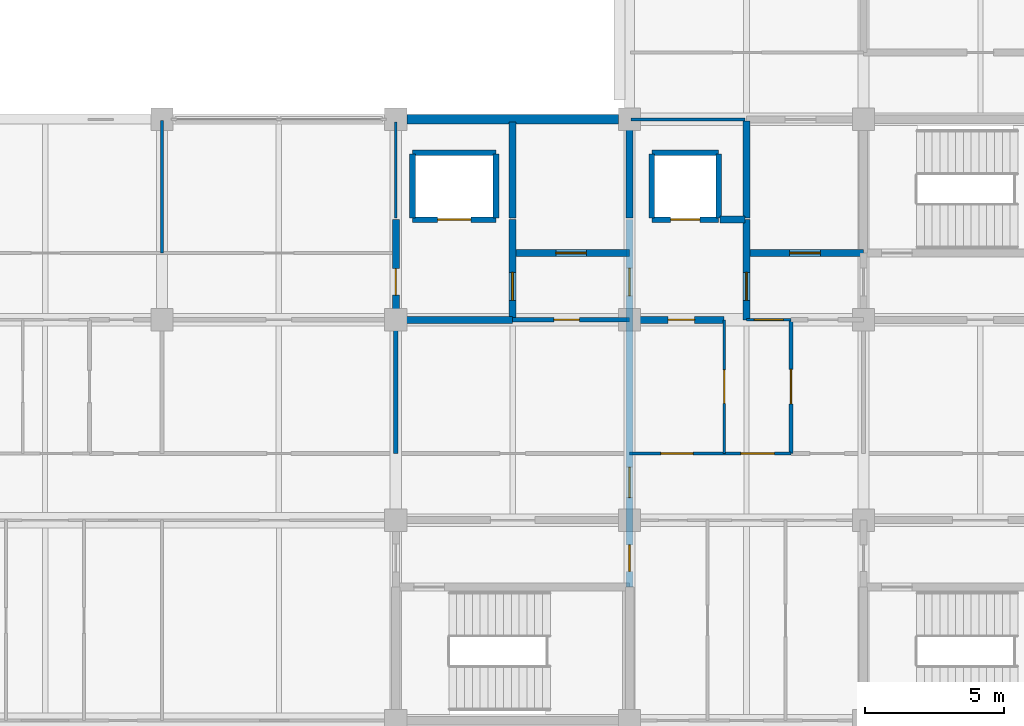
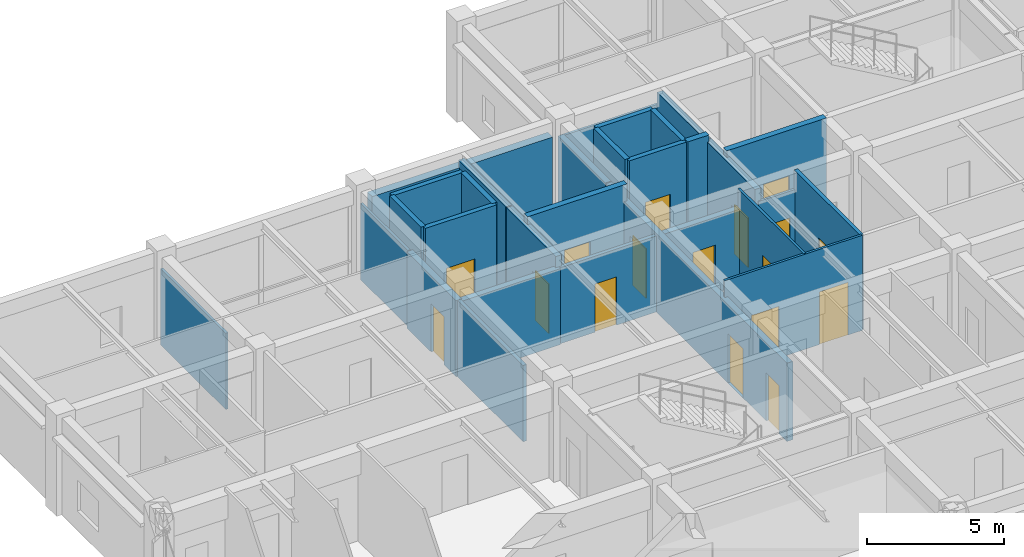
# One storey, part 17 of 30: 30 walls, 17 doors, 17 openings.
"""IFC4 building model written with IfcOpenShell, lengths in metres."""

from ifc_helpers import new_model, si_unit, direction, frame, frame_2d, origin, place, context, subcontext, project, spatial, rectangle, extrude, material, layer, layer_set, type_object, element, fill, save


model = new_model("IFC4")

# Units and contexts
model_context = context("Model", 3, precision=1e-05, world=origin(), true_north=direction((0.0, 1.0)))
body_context = subcontext(model_context, "Body", "Model", "MODEL_VIEW")
ifc_project = project(units=[si_unit("LENGTHUNIT", "METRE"), si_unit("AREAUNIT", "SQUARE_METRE"), si_unit("VOLUMEUNIT", "CUBIC_METRE"), si_unit("PLANEANGLEUNIT", "RADIAN"), si_unit("MASSUNIT", "GRAM", prefix="KILO")], contexts=[model_context])

# Site, building, storey
site_placement = place(None, origin())
site = spatial("IfcSite", under=ifc_project, at=site_placement, CompositionType="ELEMENT")
building_placement = place(site_placement, origin())
building = spatial("IfcBuilding", under=site, at=building_placement, Name="Chengyuan Square Courthouse", CompositionType="ELEMENT")
storey_placement = place(building_placement, frame((0.0, 0.0, 30.60009765625)))
storey = spatial("IfcBuildingStorey", under=building, at=storey_placement, Name="L07", CompositionType="ELEMENT", Elevation=30.60009765625)

# Walls
ifc_material_1 = material(Name="Concrete C40", Category="concrete")
ifc_layer_1 = layer(ifc_material_1, 0.35009765625)
ifc_layer_set_1 = layer_set([ifc_layer_1], Name="Concrete C40")
wall_type_1 = type_object("IfcWallType", Name="WL-EW2", PredefinedType="STANDARD", material=ifc_layer_set_1)
wall_1_placement = place(storey_placement, frame((42.39501953125, 108.0, 0.0), z_axis=(0.0, 0.0, 1.0), x_axis=(1.0, 0.0, 0.0)))
element("IfcWall", 1, at=wall_1_placement, inside=storey, type_object=wall_type_1, Name="Exterior Wall WL-L07-E381", PredefinedType="STANDARD", context=body_context, shape_type="SweptSolid", body=[
    extrude(rectangle(XDim=7.60986328125, YDim=0.35009765625, at=frame_2d((3.804931640625, 0.0))), origin(), (0.0, 0.0, 1.0), 3.58984375),
])
ifc_layer_2 = layer(ifc_material_1, 0.25)
ifc_layer_set_2 = layer_set([ifc_layer_2], Name="Concrete C40")
wall_type_2 = type_object("IfcWallType", Name="WL-FW1", PredefinedType="STANDARD", material=ifc_layer_set_2)
wall_2_placement = place(storey_placement, frame((42.0, 100.800048828125, 0.0), z_axis=(0.0, 0.0, 1.0), x_axis=(1.0, 0.0, 0.0)))
element("IfcWall", 2, at=wall_2_placement, inside=storey, type_object=wall_type_2, Name="Interior Wall WL-L07-I2669", PredefinedType="STANDARD", context=body_context, shape_type="SweptSolid", body=[
    extrude(rectangle(XDim=4.199951171875, YDim=0.25, at=frame_2d((2.10009765625, 0.0))), origin(), (0.0, 0.0, 1.0), 3.389892578125),
])

# Wall, opening, door
wall_3_placement = place(storey_placement, frame((50.39990234375, 100.800048828125, 0.0), z_axis=(0.0, 0.0, 1.0), x_axis=(1.0, 0.0, 0.0)))
wall_3 = element("IfcWall", 3, at=wall_3_placement, inside=storey, type_object=wall_type_2, Name="Interior Wall WL-L07-I2671", PredefinedType="STANDARD", context=body_context, shape_type="SweptSolid", body=[
    extrude(rectangle(XDim=3.400146484375, YDim=0.25, at=frame_2d((1.7001953125, 0.0))), origin(), (0.0, 0.0, 1.0), 3.389892578125),
])
opening_1_placement = place(wall_3_placement, frame((1.385009765625, 0.0, 0.0)))
opening_1 = element("IfcOpeningElement", 4, at=opening_1_placement, cuts=wall_3, Name="Opening DR-2359", PredefinedType="OPENING", context=body_context, shape_type="SweptSolid", body=[
    extrude(rectangle(XDim=0.949951171875, YDim=2.14990234375, at=frame_2d((0.47509765625, 1.074951171875))), frame((0.0, 0.136962890625, 0.0), z_axis=(0.0, -1.0, 0.0), x_axis=(1.0, 0.0, 0.0)), (0.0, 0.0, 1.0), 0.27392578125),
])
ifc_material_2 = material(Name="Steel Q235B Fire Door", Category="steel")
door_type_1 = type_object("IfcDoorType", Name="DT-12", OperationType="NOTDEFINED", PredefinedType="DOOR", material=ifc_material_2)
door_1_placement = place(opening_1_placement, origin())
door_1 = element("IfcDoor", 5, at=door_1_placement, inside=storey, type_object=door_type_1, Name="Interior Door DR-2359", OperationType="SINGLE_SWING_LEFT", OverallHeight=2.14990234375, OverallWidth=0.949951171875, PredefinedType="DOOR", context=body_context, shape_type="SweptSolid", body=[
    extrude(rectangle(XDim=0.949951171875, YDim=2.14990234375, at=frame_2d((0.47509765625, 1.074951171875))), frame((0.0, 0.02490234375, 0.0), z_axis=(0.0, -1.0, 0.0), x_axis=(1.0, 0.0, 0.0)), (0.0, 0.0, 1.0), 0.050048828125),
])
fill(opening_1, door_1)

wall_4_placement = place(storey_placement, frame((46.199951171875, 103.199951171875, 0.0), z_axis=(0.0, 0.0, 1.0), x_axis=(1.0, 0.0, 0.0)))
wall_4 = element("IfcWall", 6, at=wall_4_placement, inside=storey, type_object=wall_type_2, Name="Interior Wall WL-L07-I2687", PredefinedType="STANDARD", context=body_context, shape_type="SweptSolid", body=[
    extrude(rectangle(XDim=4.199951171875, YDim=0.25, at=frame_2d((2.10009765625, 0.0))), origin(), (0.0, 0.0, 1.0), 4.239990234375),
])
opening_2_placement = place(wall_4_placement, frame((1.550048828125, 0.0, 0.0)))
opening_2 = element("IfcOpeningElement", 7, at=opening_2_placement, cuts=wall_4, Name="Opening DR-2339", PredefinedType="OPENING", context=body_context, shape_type="SweptSolid", body=[
    extrude(rectangle(XDim=1.10009765625, YDim=2.199951171875, at=frame_2d((0.550048828125, 1.10009765625))), frame((0.0, 0.136962890625, 0.0), z_axis=(0.0, -1.0, 0.0), x_axis=(1.0, 0.0, 0.0)), (0.0, 0.0, 1.0), 0.27392578125),
])
door_type_2 = type_object("IfcDoorType", Name="DT-10", OperationType="NOTDEFINED", PredefinedType="DOOR", material=ifc_material_2)
door_2_placement = place(opening_2_placement, origin())
door_2 = element("IfcDoor", 8, at=door_2_placement, inside=storey, type_object=door_type_2, Name="Interior Door DR-2339", OperationType="SINGLE_SWING_RIGHT", OverallHeight=2.199951171875, OverallWidth=1.10009765625, PredefinedType="DOOR", context=body_context, shape_type="SweptSolid", body=[
    extrude(rectangle(XDim=1.10009765625, YDim=2.199951171875, at=frame_2d((0.550048828125, 1.10009765625))), frame((0.0, 0.02490234375, 0.0), z_axis=(0.0, -1.0, 0.0), x_axis=(1.0, 0.0, 0.0)), (0.0, 0.0, 1.0), 0.050048828125),
])
fill(opening_2, door_2)

wall_5_placement = place(storey_placement, frame((54.60009765625, 103.199951171875, 0.0), z_axis=(0.0, 0.0, 1.0), x_axis=(1.0, 0.0, 0.0)))
wall_5 = element("IfcWall", 9, at=wall_5_placement, inside=storey, type_object=wall_type_2, Name="Interior Wall WL-L07-I2688", PredefinedType="STANDARD", context=body_context, shape_type="SweptSolid", body=[
    extrude(rectangle(XDim=4.199951171875, YDim=0.25, at=frame_2d((2.10009765625, 0.0))), origin(), (0.0, 0.0, 1.0), 4.239990234375),
])
opening_3_placement = place(wall_5_placement, frame((1.550048828125, 0.0, 0.0)))
opening_3 = element("IfcOpeningElement", 10, at=opening_3_placement, cuts=wall_5, Name="Opening DR-2360", PredefinedType="OPENING", context=body_context, shape_type="SweptSolid", body=[
    extrude(rectangle(XDim=1.10009765625, YDim=2.199951171875, at=frame_2d((0.550048828125, 1.10009765625))), frame((0.0, 0.136962890625, 0.0), z_axis=(0.0, -1.0, 0.0), x_axis=(1.0, 0.0, 0.0)), (0.0, 0.0, 1.0), 0.27392578125),
])
door_3_placement = place(opening_3_placement, origin())
door_3 = element("IfcDoor", 11, at=door_3_placement, inside=storey, type_object=door_type_2, Name="Interior Door DR-2360", OperationType="SINGLE_SWING_RIGHT", OverallHeight=2.199951171875, OverallWidth=1.10009765625, PredefinedType="DOOR", context=body_context, shape_type="SweptSolid", body=[
    extrude(rectangle(XDim=1.10009765625, YDim=2.199951171875, at=frame_2d((0.550048828125, 1.10009765625))), frame((0.0, 0.02490234375, 0.0), z_axis=(0.0, -1.0, 0.0), x_axis=(1.0, 0.0, 0.0)), (0.0, 0.0, 1.0), 0.050048828125),
])
fill(opening_3, door_3)

# Wall
wall_6_placement = place(storey_placement, frame((53.64990234375, 104.39990234375, 0.0), z_axis=(0.0, 0.0, 1.0), x_axis=(1.0, 0.0, 0.0)))
element("IfcWall", 12, at=wall_6_placement, inside=storey, type_object=wall_type_2, Name="Interior Wall WL-L07-I2698", PredefinedType="STANDARD", context=body_context, shape_type="SweptSolid", body=[
    extrude(rectangle(XDim=0.900146484375, YDim=0.25, at=frame_2d((0.4501953125, 0.0))), origin(), (0.0, 0.0, 1.0), 4.239990234375),
])

# Wall, opening, door
wall_7_placement = place(storey_placement, frame((42.0, 100.800048828125, 0.0), z_axis=(0.0, 0.0, 1.0), x_axis=(0.0, 1.0, 0.0)))
wall_7 = element("IfcWall", 13, at=wall_7_placement, inside=storey, type_object=wall_type_2, Name="Interior Wall WL-L07-I2748", PredefinedType="STANDARD", context=body_context, shape_type="SweptSolid", body=[
    extrude(rectangle(XDim=3.599853515625, YDim=0.25, at=frame_2d((1.7998046875, 0.0))), origin(), (0.0, 0.0, 1.0), 3.39990234375),
])
opening_4_placement = place(wall_7_placement, frame((0.885009765625, 0.0, 0.0)))
opening_4 = element("IfcOpeningElement", 14, at=opening_4_placement, cuts=wall_7, Name="Opening DR-2338", PredefinedType="OPENING", context=body_context, shape_type="SweptSolid", body=[
    extrude(rectangle(XDim=0.949951171875, YDim=2.14990234375, at=frame_2d((0.47509765625, 1.074951171875))), frame((0.0, 0.136962890625, 0.0), z_axis=(0.0, -1.0, 0.0), x_axis=(1.0, 0.0, 0.0)), (0.0, 0.0, 1.0), 0.27392578125),
])
door_4_placement = place(opening_4_placement, origin())
door_4 = element("IfcDoor", 15, at=door_4_placement, inside=storey, type_object=door_type_1, Name="Interior Door DR-2338", OperationType="SINGLE_SWING_LEFT", OverallHeight=2.14990234375, OverallWidth=0.949951171875, PredefinedType="DOOR", context=body_context, shape_type="SweptSolid", body=[
    extrude(rectangle(XDim=0.949951171875, YDim=2.14990234375, at=frame_2d((0.47509765625, 1.074951171875))), frame((0.0, 0.02490234375, 0.0), z_axis=(0.0, -1.0, 0.0), x_axis=(1.0, 0.0, 0.0)), (0.0, 0.0, 1.0), 0.050048828125),
])
fill(opening_4, door_4)

wall_8_placement = place(storey_placement, frame((46.199951171875, 100.800048828125, 0.0), z_axis=(0.0, 0.0, 1.0), x_axis=(0.0, 1.0, 0.0)))
wall_8 = element("IfcWall", 16, at=wall_8_placement, inside=storey, type_object=wall_type_2, Name="Interior Wall WL-L07-I2752", PredefinedType="STANDARD", context=body_context, shape_type="SweptSolid", body=[
    extrude(rectangle(XDim=3.599853515625, YDim=0.25, at=frame_2d((1.7998046875, 0.0))), origin(), (0.0, 0.0, 1.0), 3.889892578125),
])
opening_5_placement = place(wall_8_placement, frame((0.699951171875, 0.0, 0.0)))
opening_5 = element("IfcOpeningElement", 17, at=opening_5_placement, cuts=wall_8, Name="Opening DR-2337", PredefinedType="OPENING", context=body_context, shape_type="SweptSolid", body=[
    extrude(rectangle(XDim=1.0, YDim=2.199951171875, at=frame_2d((0.5, 1.10009765625))), frame((0.0, 0.136962890625, 0.0), z_axis=(0.0, -1.0, 0.0), x_axis=(1.0, 0.0, 0.0)), (0.0, 0.0, 1.0), 0.27392578125),
])
door_type_3 = type_object("IfcDoorType", Name="DT-11", OperationType="NOTDEFINED", PredefinedType="DOOR", material=ifc_material_2)
door_5_placement = place(opening_5_placement, origin())
door_5 = element("IfcDoor", 18, at=door_5_placement, inside=storey, type_object=door_type_3, Name="Interior Door DR-2337", OperationType="SINGLE_SWING_RIGHT", OverallHeight=2.199951171875, OverallWidth=1.0, PredefinedType="DOOR", context=body_context, shape_type="SweptSolid", body=[
    extrude(rectangle(XDim=1.0, YDim=2.199951171875, at=frame_2d((0.5, 1.10009765625))), frame((0.0, 0.02490234375, 0.0), z_axis=(0.0, -1.0, 0.0), x_axis=(1.0, 0.0, 0.0)), (0.0, 0.0, 1.0), 0.050048828125),
])
fill(opening_5, door_5)

# Wall
wall_9_placement = place(storey_placement, frame((46.199951171875, 104.449951171875, 0.0), z_axis=(0.0, 0.0, 1.0), x_axis=(0.0, 1.0, 0.0)))
element("IfcWall", 19, at=wall_9_placement, inside=storey, type_object=wall_type_2, Name="Interior Wall WL-L07-I2753", PredefinedType="STANDARD", context=body_context, shape_type="SweptSolid", body=[
    extrude(rectangle(XDim=3.4599609375, YDim=0.25, at=frame_2d((1.72998046875, 0.0))), origin(), (0.0, 0.0, 1.0), 3.889892578125),
])

# Wall, openings, doors
wall_10_placement = place(storey_placement, frame((50.39990234375, 91.199951171875, 0.0), z_axis=(0.0, 0.0, 1.0), x_axis=(0.0, 1.0, 0.0)))
wall_10 = element("IfcWall", 20, at=wall_10_placement, inside=storey, type_object=wall_type_2, Name="Interior Wall WL-L07-I2756", PredefinedType="STANDARD", context=body_context, shape_type="SweptSolid", body=[
    extrude(rectangle(XDim=13.199951171875, YDim=0.25, at=frame_2d((6.60009765625, 0.0))), origin(), (0.0, 0.0, 1.0), 3.489990234375),
])
opening_6_placement = place(wall_10_placement, frame((0.56494140625, 0.0, 0.0)))
opening_6 = element("IfcOpeningElement", 21, at=opening_6_placement, cuts=wall_10, Name="Opening DR-2323", PredefinedType="OPENING", context=body_context, shape_type="SweptSolid", body=[
    extrude(rectangle(XDim=0.949951171875, YDim=2.14990234375, at=frame_2d((0.47509765625, 1.074951171875))), frame((0.0, 0.136962890625, 0.0), z_axis=(0.0, -1.0, 0.0), x_axis=(1.0, 0.0, 0.0)), (0.0, 0.0, 1.0), 0.27392578125),
])
opening_7_placement = place(wall_10_placement, frame((10.4599609375, 0.0, 0.0)))
opening_7 = element("IfcOpeningElement", 22, at=opening_7_placement, cuts=wall_10, Name="Opening DR-2340", PredefinedType="OPENING", context=body_context, shape_type="SweptSolid", body=[
    extrude(rectangle(XDim=1.0, YDim=2.199951171875, at=frame_2d((0.5, 1.10009765625))), frame((0.0, 0.136962890625, 0.0), z_axis=(0.0, -1.0, 0.0), x_axis=(1.0, 0.0, 0.0)), (0.0, 0.0, 1.0), 0.27392578125),
])
opening_8_placement = place(wall_10_placement, frame((3.2099609375, 0.0, 0.0)))
opening_8 = element("IfcOpeningElement", 23, at=opening_8_placement, cuts=wall_10, Name="Opening DR-2387", PredefinedType="OPENING", context=body_context, shape_type="SweptSolid", body=[
    extrude(rectangle(XDim=1.10009765625, YDim=2.199951171875, at=frame_2d((0.550048828125, 1.10009765625))), frame((0.0, 0.136962890625, 0.0), z_axis=(0.0, -1.0, 0.0), x_axis=(1.0, 0.0, 0.0)), (0.0, 0.0, 1.0), 0.27392578125),
])
door_6_placement = place(opening_8_placement, origin())
door_6 = element("IfcDoor", 24, at=door_6_placement, inside=storey, type_object=door_type_2, Name="Interior Door DR-2387", OperationType="SINGLE_SWING_RIGHT", OverallHeight=2.199951171875, OverallWidth=1.10009765625, PredefinedType="DOOR", context=body_context, shape_type="SweptSolid", body=[
    extrude(rectangle(XDim=1.10009765625, YDim=2.199951171875, at=frame_2d((0.550048828125, 1.10009765625))), frame((0.0, 0.02490234375, 0.0), z_axis=(0.0, -1.0, 0.0), x_axis=(1.0, 0.0, 0.0)), (0.0, 0.0, 1.0), 0.050048828125),
])
fill(opening_8, door_6)
door_7_placement = place(opening_7_placement, origin())
door_7 = element("IfcDoor", 25, at=door_7_placement, inside=storey, type_object=door_type_3, Name="Interior Door DR-2340", OperationType="SINGLE_SWING_LEFT", OverallHeight=2.199951171875, OverallWidth=1.0, PredefinedType="DOOR", context=body_context, shape_type="SweptSolid", body=[
    extrude(rectangle(XDim=1.0, YDim=2.199951171875, at=frame_2d((0.5, 1.10009765625))), frame((0.0, 0.02490234375, 0.0), z_axis=(0.0, -1.0, 0.0), x_axis=(1.0, 0.0, 0.0)), (0.0, 0.0, 1.0), 0.050048828125),
])
fill(opening_7, door_7)
door_8_placement = place(opening_6_placement, origin())
door_8 = element("IfcDoor", 26, at=door_8_placement, inside=storey, type_object=door_type_1, Name="Interior Door DR-2323", OperationType="SINGLE_SWING_LEFT", OverallHeight=2.14990234375, OverallWidth=0.949951171875, PredefinedType="DOOR", context=body_context, shape_type="SweptSolid", body=[
    extrude(rectangle(XDim=0.949951171875, YDim=2.14990234375, at=frame_2d((0.47509765625, 1.074951171875))), frame((0.0, 0.02490234375, 0.0), z_axis=(0.0, -1.0, 0.0), x_axis=(1.0, 0.0, 0.0)), (0.0, 0.0, 1.0), 0.050048828125),
])
fill(opening_6, door_8)

# Wall
wall_11_placement = place(storey_placement, frame((50.39990234375, 104.449951171875, 0.0), z_axis=(0.0, 0.0, 1.0), x_axis=(0.0, 1.0, 0.0)))
element("IfcWall", 27, at=wall_11_placement, inside=storey, type_object=wall_type_2, Name="Interior Wall WL-L07-I2757", PredefinedType="STANDARD", context=body_context, shape_type="SweptSolid", body=[
    extrude(rectangle(XDim=3.4599609375, YDim=0.25, at=frame_2d((1.72998046875, 0.0))), origin(), (0.0, 0.0, 1.0), 3.489990234375),
])

# Wall, opening, door
wall_12_placement = place(storey_placement, frame((54.60009765625, 100.800048828125, 0.0), z_axis=(0.0, 0.0, 1.0), x_axis=(0.0, 1.0, 0.0)))
wall_12 = element("IfcWall", 28, at=wall_12_placement, inside=storey, type_object=wall_type_2, Name="Interior Wall WL-L07-I2762", PredefinedType="STANDARD", context=body_context, shape_type="SweptSolid", body=[
    extrude(rectangle(XDim=3.599853515625, YDim=0.25, at=frame_2d((1.7998046875, 0.0))), origin(), (0.0, 0.0, 1.0), 3.93994140625),
])
opening_9_placement = place(wall_12_placement, frame((0.699951171875, 0.0, 0.0)))
opening_9 = element("IfcOpeningElement", 29, at=opening_9_placement, cuts=wall_12, Name="Opening DR-2358", PredefinedType="OPENING", context=body_context, shape_type="SweptSolid", body=[
    extrude(rectangle(XDim=1.0, YDim=2.199951171875, at=frame_2d((0.5, 1.10009765625))), frame((0.0, 0.136962890625, 0.0), z_axis=(0.0, -1.0, 0.0), x_axis=(1.0, 0.0, 0.0)), (0.0, 0.0, 1.0), 0.27392578125),
])
door_9_placement = place(opening_9_placement, origin())
door_9 = element("IfcDoor", 30, at=door_9_placement, inside=storey, type_object=door_type_3, Name="Interior Door DR-2358", OperationType="SINGLE_SWING_RIGHT", OverallHeight=2.199951171875, OverallWidth=1.0, PredefinedType="DOOR", context=body_context, shape_type="SweptSolid", body=[
    extrude(rectangle(XDim=1.0, YDim=2.199951171875, at=frame_2d((0.5, 1.10009765625))), frame((0.0, 0.02490234375, 0.0), z_axis=(0.0, -1.0, 0.0), x_axis=(1.0, 0.0, 0.0)), (0.0, 0.0, 1.0), 0.050048828125),
])
fill(opening_9, door_9)

# Wall
wall_13_placement = place(storey_placement, frame((54.60009765625, 104.449951171875, 0.0), z_axis=(0.0, 0.0, 1.0), x_axis=(0.0, 1.0, 0.0)))
element("IfcWall", 31, at=wall_13_placement, inside=storey, type_object=wall_type_2, Name="Interior Wall WL-L07-I2763", PredefinedType="STANDARD", context=body_context, shape_type="SweptSolid", body=[
    extrude(rectangle(XDim=3.5, YDim=0.25, at=frame_2d((1.75, 0.0))), origin(), (0.0, 0.0, 1.0), 3.93994140625),
])

# Wall, opening, door
ifc_material_3 = material(Name="Deliberation Room Sound-Insulated Partition")
ifc_layer_3 = layer(ifc_material_3, 0.14990234375)
ifc_layer_set_3 = layer_set([ifc_layer_3], Name="Deliberation Room Sound-Insulated Partition")
wall_type_3 = type_object("IfcWallType", Name="WL-PT3", PredefinedType="STANDARD", material=ifc_layer_set_3)
wall_14_placement = place(storey_placement, frame((46.199951171875, 100.800048828125, 0.0), z_axis=(0.0, 0.0, 1.0), x_axis=(1.0, 0.0, 0.0)))
wall_14 = element("IfcWall", 32, at=wall_14_placement, inside=storey, type_object=wall_type_3, Name="Interior Wall WL-L07-I2670", PredefinedType="STANDARD", context=body_context, shape_type="SweptSolid", body=[
    extrude(rectangle(XDim=4.199951171875, YDim=0.14990234375, at=frame_2d((2.10009765625, 0.0))), origin(), (0.0, 0.0, 1.0), 3.389892578125),
])
opening_10_placement = place(wall_14_placement, frame((1.47998046875, 0.0, 0.0)))
opening_10 = element("IfcOpeningElement", 33, at=opening_10_placement, cuts=wall_14, Name="Opening DR-2341", PredefinedType="OPENING", context=body_context, shape_type="SweptSolid", body=[
    extrude(rectangle(XDim=0.919921875, YDim=2.14990234375, at=frame_2d((0.4599609375, 1.074951171875))), frame((0.0, 0.0869140625, 0.0), z_axis=(0.0, -1.0, 0.0), x_axis=(1.0, 0.0, 0.0)), (0.0, 0.0, 1.0), 0.173828125),
])
ifc_material_4 = material(Name="Acoustic Solid-Core Timber Door", Category="wood")
door_type_4 = type_object("IfcDoorType", Name="DT-29", OperationType="NOTDEFINED", PredefinedType="DOOR", material=ifc_material_4)
door_10_placement = place(opening_10_placement, origin())
door_10 = element("IfcDoor", 34, at=door_10_placement, inside=storey, type_object=door_type_4, Name="Interior Door DR-2341", OperationType="SINGLE_SWING_RIGHT", OverallHeight=2.14990234375, OverallWidth=0.919921875, PredefinedType="DOOR", context=body_context, shape_type="SweptSolid", body=[
    extrude(rectangle(XDim=0.919921875, YDim=2.14990234375, at=frame_2d((0.4599609375, 1.074951171875))), frame((0.0, 0.02490234375, 0.0), z_axis=(0.0, -1.0, 0.0), x_axis=(1.0, 0.0, 0.0)), (0.0, 0.0, 1.0), 0.050048828125),
])
fill(opening_10, door_10)

# Wall
wall_15_placement = place(storey_placement, frame((42.0, 96.0, 0.0), z_axis=(0.0, 0.0, 1.0), x_axis=(0.0, 1.0, 0.0)))
element("IfcWall", 35, at=wall_15_placement, inside=storey, type_object=wall_type_3, Name="Interior Wall WL-L07-I2747", PredefinedType="STANDARD", context=body_context, shape_type="SweptSolid", body=[
    extrude(rectangle(XDim=4.800048828125, YDim=0.14990234375, at=frame_2d((2.39990234375, 0.0))), origin(), (0.0, 0.0, 1.0), 3.39990234375),
])

# Wall, opening, door
wall_16_placement = place(storey_placement, frame((56.199951171875, 96.0, 0.0), z_axis=(0.0, 0.0, 1.0), x_axis=(0.0, 1.0, 0.0)))
wall_16 = element("IfcWall", 36, at=wall_16_placement, inside=storey, type_object=wall_type_3, Name="Interior Wall WL-L07-I2765", PredefinedType="STANDARD", context=body_context, shape_type="SweptSolid", body=[
    extrude(rectangle(XDim=4.800048828125, YDim=0.14990234375, at=frame_2d((2.39990234375, 0.0))), origin(), (0.0, 0.0, 1.0), 4.239990234375),
])
opening_11_placement = place(wall_16_placement, frame((1.780029296875, 0.0, 0.0)))
opening_11 = element("IfcOpeningElement", 37, at=opening_11_placement, cuts=wall_16, Name="Opening DR-2434", PredefinedType="OPENING", context=body_context, shape_type="SweptSolid", body=[
    extrude(rectangle(XDim=1.239990234375, YDim=2.300048828125, at=frame_2d((0.6201171875, 1.14990234375))), frame((0.0, 0.0869140625, 0.0), z_axis=(0.0, -1.0, 0.0), x_axis=(1.0, 0.0, 0.0)), (0.0, 0.0, 1.0), 0.173828125),
])
door_type_5 = type_object("IfcDoorType", Name="DT-37", OperationType="NOTDEFINED", PredefinedType="DOOR", material=ifc_material_4)
door_11_placement = place(opening_11_placement, origin())
door_11 = element("IfcDoor", 38, at=door_11_placement, inside=storey, type_object=door_type_5, Name="Interior Door DR-2434", OperationType="SINGLE_SWING_LEFT", OverallHeight=2.300048828125, OverallWidth=1.239990234375, PredefinedType="DOOR", context=body_context, shape_type="SweptSolid", body=[
    extrude(rectangle(XDim=1.239990234375, YDim=2.300048828125, at=frame_2d((0.6201171875, 1.14990234375))), frame((0.0, 0.02490234375, 0.0), z_axis=(0.0, -1.0, 0.0), x_axis=(1.0, 0.0, 0.0)), (0.0, 0.0, 1.0), 0.050048828125),
])
fill(opening_11, door_11)

# Wall, openings, doors
ifc_material_5 = material(Name="Gypsum Plasterboard Acoustic Stud Partition")
ifc_layer_4 = layer(ifc_material_5, 0.10009765625)
ifc_layer_set_4 = layer_set([ifc_layer_4], Name="Gypsum Plasterboard Acoustic Stud Partition")
wall_type_4 = type_object("IfcWallType", Name="WL-PT6", PredefinedType="STANDARD", material=ifc_layer_set_4)
wall_17_placement = place(storey_placement, frame((50.39990234375, 96.0, 0.0), z_axis=(0.0, 0.0, 1.0), x_axis=(1.0, 0.0, 0.0)))
wall_17 = element("IfcWall", 39, at=wall_17_placement, inside=storey, type_object=wall_type_4, Name="Interior Wall WL-L07-I2659", PredefinedType="STANDARD", context=body_context, shape_type="SweptSolid", body=[
    extrude(rectangle(XDim=5.800048828125, YDim=0.10009765625, at=frame_2d((2.89990234375, 0.0))), origin(), (0.0, 0.0, 1.0), 4.239990234375),
])
opening_12_placement = place(wall_17_placement, frame((1.1201171875, 0.0, 0.0)))
opening_12 = element("IfcOpeningElement", 40, at=opening_12_placement, cuts=wall_17, Name="Opening DR-2398", PredefinedType="OPENING", context=body_context, shape_type="SweptSolid", body=[
    extrude(rectangle(XDim=1.159912109375, YDim=2.300048828125, at=frame_2d((0.580078125, 1.14990234375))), frame((0.0, 0.06201171875, 0.0), z_axis=(0.0, -1.0, 0.0), x_axis=(1.0, 0.0, 0.0)), (0.0, 0.0, 1.0), 0.1240234375),
])
opening_13_placement = place(wall_17_placement, frame((4.0, 0.0, 0.0)))
opening_13 = element("IfcOpeningElement", 41, at=opening_13_placement, cuts=wall_17, Name="Opening DR-2399", PredefinedType="OPENING", context=body_context, shape_type="SweptSolid", body=[
    extrude(rectangle(XDim=1.199951171875, YDim=2.35009765625, at=frame_2d((0.60009765625, 1.175048828125))), frame((0.0, 0.06201171875, 0.0), z_axis=(0.0, -1.0, 0.0), x_axis=(1.0, 0.0, 0.0)), (0.0, 0.0, 1.0), 0.1240234375),
])
door_type_6 = type_object("IfcDoorType", Name="DT-35", OperationType="NOTDEFINED", PredefinedType="DOOR", material=ifc_material_4)
door_12_placement = place(opening_12_placement, origin())
door_12 = element("IfcDoor", 42, at=door_12_placement, inside=storey, type_object=door_type_6, Name="Interior Door DR-2398", OperationType="SINGLE_SWING_RIGHT", OverallHeight=2.300048828125, OverallWidth=1.159912109375, PredefinedType="DOOR", context=body_context, shape_type="SweptSolid", body=[
    extrude(rectangle(XDim=1.159912109375, YDim=2.300048828125, at=frame_2d((0.580078125, 1.14990234375))), frame((0.0, 0.02490234375, 0.0), z_axis=(0.0, -1.0, 0.0), x_axis=(1.0, 0.0, 0.0)), (0.0, 0.0, 1.0), 0.050048828125),
])
fill(opening_12, door_12)
door_type_7 = type_object("IfcDoorType", Name="DT-36", OperationType="NOTDEFINED", PredefinedType="DOOR", material=ifc_material_4)
door_13_placement = place(opening_13_placement, origin())
door_13 = element("IfcDoor", 43, at=door_13_placement, inside=storey, type_object=door_type_7, Name="Interior Door DR-2399", OperationType="SINGLE_SWING_LEFT", OverallHeight=2.35009765625, OverallWidth=1.199951171875, PredefinedType="DOOR", context=body_context, shape_type="SweptSolid", body=[
    extrude(rectangle(XDim=1.199951171875, YDim=2.35009765625, at=frame_2d((0.60009765625, 1.175048828125))), frame((0.0, 0.02490234375, 0.0), z_axis=(0.0, -1.0, 0.0), x_axis=(1.0, 0.0, 0.0)), (0.0, 0.0, 1.0), 0.050048828125),
])
fill(opening_13, door_13)

# Wall, opening, door
wall_18_placement = place(storey_placement, frame((54.60009765625, 100.800048828125, 0.0), z_axis=(0.0, 0.0, 1.0), x_axis=(1.0, 0.0, 0.0)))
wall_18 = element("IfcWall", 44, at=wall_18_placement, inside=storey, type_object=wall_type_4, Name="Interior Wall WL-L07-I2672", PredefinedType="STANDARD", context=body_context, shape_type="SweptSolid", body=[
    extrude(rectangle(XDim=1.599853515625, YDim=0.10009765625, at=frame_2d((0.7998046875, 0.0))), origin(), (0.0, 0.0, 1.0), 3.389892578125),
])
opening_14_placement = place(wall_18_placement, frame((0.280029296875, 0.0, 0.0)))
opening_14 = element("IfcOpeningElement", 45, at=opening_14_placement, cuts=wall_18, Name="Opening DR-2361", PredefinedType="OPENING", context=body_context, shape_type="SweptSolid", body=[
    extrude(rectangle(XDim=1.0400390625, YDim=2.199951171875, at=frame_2d((0.52001953125, 1.10009765625))), frame((0.0, 0.06201171875, 0.0), z_axis=(0.0, -1.0, 0.0), x_axis=(1.0, 0.0, 0.0)), (0.0, 0.0, 1.0), 0.1240234375),
])
door_type_8 = type_object("IfcDoorType", Name="DT-32", OperationType="NOTDEFINED", PredefinedType="DOOR", material=ifc_material_4)
door_14_placement = place(opening_14_placement, origin())
door_14 = element("IfcDoor", 46, at=door_14_placement, inside=storey, type_object=door_type_8, Name="Interior Door DR-2361", OperationType="SINGLE_SWING_LEFT", OverallHeight=2.199951171875, OverallWidth=1.0400390625, PredefinedType="DOOR", context=body_context, shape_type="SweptSolid", body=[
    extrude(rectangle(XDim=1.0400390625, YDim=2.199951171875, at=frame_2d((0.52001953125, 1.10009765625))), frame((0.0, 0.02490234375, 0.0), z_axis=(0.0, -1.0, 0.0), x_axis=(1.0, 0.0, 0.0)), (0.0, 0.0, 1.0), 0.050048828125),
])
fill(opening_14, door_14)

# Walls
wall_19_placement = place(storey_placement, frame((50.449951171875, 108.0, 0.0), z_axis=(0.0, 0.0, 1.0), x_axis=(1.0, 0.0, 0.0)))
element("IfcWall", 47, at=wall_19_placement, inside=storey, type_object=wall_type_4, Name="Interior Wall WL-L07-I2719", PredefinedType="STANDARD", context=body_context, shape_type="SweptSolid", body=[
    extrude(rectangle(XDim=4.10009765625, YDim=0.10009765625, at=frame_2d((2.050048828125, 0.0))), origin(), (0.0, 0.0, 1.0), 3.389892578125),
])
wall_20_placement = place(storey_placement, frame((33.60009765625, 103.199951171875, 0.0), z_axis=(0.0, 0.0, 1.0), x_axis=(0.0, 1.0, 0.0)))
element("IfcWall", 48, at=wall_20_placement, inside=storey, type_object=wall_type_4, Name="Interior Wall WL-L07-I2744", PredefinedType="STANDARD", context=body_context, shape_type="SweptSolid", body=[
    extrude(rectangle(XDim=4.760009765625, YDim=0.10009765625, at=frame_2d((2.3798828125, 0.0))), origin(), (0.0, 0.0, 1.0), 3.39990234375),
])
wall_21_placement = place(storey_placement, frame((42.0, 104.449951171875, 0.0), z_axis=(0.0, 0.0, 1.0), x_axis=(0.0, 1.0, 0.0)))
element("IfcWall", 49, at=wall_21_placement, inside=storey, type_object=wall_type_4, Name="Interior Wall WL-L07-I2749", PredefinedType="STANDARD", context=body_context, shape_type="SweptSolid", body=[
    extrude(rectangle(XDim=3.4599609375, YDim=0.10009765625, at=frame_2d((1.72998046875, 0.0))), origin(), (0.0, 0.0, 1.0), 3.39990234375),
])

# Wall, opening, door
wall_22_placement = place(storey_placement, frame((53.800048828125, 96.0, 0.0), z_axis=(0.0, 0.0, 1.0), x_axis=(0.0, 1.0, 0.0)))
wall_22 = element("IfcWall", 50, at=wall_22_placement, inside=storey, type_object=wall_type_4, Name="Interior Wall WL-L07-I2761", PredefinedType="STANDARD", context=body_context, shape_type="SweptSolid", body=[
    extrude(rectangle(XDim=4.800048828125, YDim=0.10009765625, at=frame_2d((2.39990234375, 0.0))), origin(), (0.0, 0.0, 1.0), 4.239990234375),
])
opening_15_placement = place(wall_22_placement, frame((1.800048828125, 0.0, 0.0)))
opening_15 = element("IfcOpeningElement", 51, at=opening_15_placement, cuts=wall_22, Name="Opening DR-2433", PredefinedType="OPENING", context=body_context, shape_type="SweptSolid", body=[
    extrude(rectangle(XDim=1.199951171875, YDim=2.35009765625, at=frame_2d((0.60009765625, 1.175048828125))), frame((0.0, 0.06201171875, 0.0), z_axis=(0.0, -1.0, 0.0), x_axis=(1.0, 0.0, 0.0)), (0.0, 0.0, 1.0), 0.1240234375),
])
door_15_placement = place(opening_15_placement, origin())
door_15 = element("IfcDoor", 52, at=door_15_placement, inside=storey, type_object=door_type_7, Name="Interior Door DR-2433", OperationType="SINGLE_SWING_RIGHT", OverallHeight=2.35009765625, OverallWidth=1.199951171875, PredefinedType="DOOR", context=body_context, shape_type="SweptSolid", body=[
    extrude(rectangle(XDim=1.199951171875, YDim=2.35009765625, at=frame_2d((0.60009765625, 1.175048828125))), frame((0.0, 0.02490234375, 0.0), z_axis=(0.0, -1.0, 0.0), x_axis=(1.0, 0.0, 0.0)), (0.0, 0.0, 1.0), 0.050048828125),
])
fill(opening_15, door_15)

ifc_material_6 = material(Name="Reinforced Masonry Shaft Enclosure", Category="masonry")
ifc_layer_5 = layer(ifc_material_6, 0.199951171875)
ifc_layer_set_5 = layer_set([ifc_layer_5], Name="Reinforced Masonry Shaft Enclosure")
wall_type_5 = type_object("IfcWallType", Name="WL-SH1", PredefinedType="STANDARD", material=ifc_layer_set_5)
wall_23_placement = place(storey_placement, frame((42.60009765625, 104.39990234375, 0.0), z_axis=(0.0, 0.0, 1.0), x_axis=(1.0, 0.0, 0.0)))
wall_23 = element("IfcWall", 53, at=wall_23_placement, inside=storey, type_object=wall_type_5, Name="Interior Wall WL-L07-I2696", PredefinedType="STANDARD", context=body_context, shape_type="SweptSolid", body=[
    extrude(rectangle(XDim=3.0, YDim=0.199951171875, at=frame_2d((1.5, 0.0))), origin(), (0.0, 0.0, 1.0), 4.239990234375),
])
opening_16_placement = place(wall_23_placement, frame((0.89990234375, 0.0, 0.0)))
opening_16 = element("IfcOpeningElement", 54, at=opening_16_placement, cuts=wall_23, Name="Opening LD-119", PredefinedType="OPENING", context=body_context, shape_type="SweptSolid", body=[
    extrude(rectangle(XDim=1.199951171875, YDim=2.14990234375, at=frame_2d((0.60009765625, 1.074951171875))), frame((0.0, 0.112060546875, 0.0), z_axis=(0.0, -1.0, 0.0), x_axis=(1.0, 0.0, 0.0)), (0.0, 0.0, 1.0), 0.223876953125),
])
ifc_material_7 = material(Name="Stainless Steel S30408 Lift Landing Door", Category="steel")
door_type_9 = type_object("IfcDoorType", Name="DT-05", OperationType="DOUBLE_DOOR_SLIDING", PredefinedType="DOOR", material=ifc_material_7)
door_16_placement = place(opening_16_placement, origin())
door_16 = element("IfcDoor", 55, at=door_16_placement, inside=storey, type_object=door_type_9, Name="Lift Landing Door LF-F3 L07", OperationType="DOUBLE_DOOR_SLIDING", OverallHeight=2.14990234375, OverallWidth=1.199951171875, PredefinedType="DOOR", context=body_context, shape_type="SweptSolid", body=[
    extrude(rectangle(XDim=1.199951171875, YDim=2.14990234375, at=frame_2d((0.60009765625, 1.074951171875))), frame((0.0, 0.02490234375, 0.0), z_axis=(0.0, -1.0, 0.0), x_axis=(1.0, 0.0, 0.0)), (0.0, 0.0, 1.0), 0.050048828125),
])
fill(opening_16, door_16)

wall_24_placement = place(storey_placement, frame((51.199951171875, 104.39990234375, 0.0), z_axis=(0.0, 0.0, 1.0), x_axis=(1.0, 0.0, 0.0)))
wall_24 = element("IfcWall", 56, at=wall_24_placement, inside=storey, type_object=wall_type_5, Name="Interior Wall WL-L07-I2697", PredefinedType="STANDARD", context=body_context, shape_type="SweptSolid", body=[
    extrude(rectangle(XDim=2.400146484375, YDim=0.199951171875, at=frame_2d((1.2001953125, 0.0))), origin(), (0.0, 0.0, 1.0), 4.239990234375),
])
opening_17_placement = place(wall_24_placement, frame((0.675048828125, 0.0, 0.0)))
opening_17 = element("IfcOpeningElement", 57, at=opening_17_placement, cuts=wall_24, Name="Opening LD-131", PredefinedType="OPENING", context=body_context, shape_type="SweptSolid", body=[
    extrude(rectangle(XDim=1.050048828125, YDim=2.14990234375, at=frame_2d((0.52490234375, 1.074951171875))), frame((0.0, 0.112060546875, 0.0), z_axis=(0.0, -1.0, 0.0), x_axis=(1.0, 0.0, 0.0)), (0.0, 0.0, 1.0), 0.223876953125),
])
door_type_10 = type_object("IfcDoorType", Name="DT-08", OperationType="DOUBLE_DOOR_SLIDING", PredefinedType="DOOR", material=ifc_material_7)
door_17_placement = place(opening_17_placement, origin())
door_17 = element("IfcDoor", 58, at=door_17_placement, inside=storey, type_object=door_type_10, Name="Lift Landing Door LF-C1 L07", OperationType="DOUBLE_DOOR_SLIDING", OverallHeight=2.14990234375, OverallWidth=1.050048828125, PredefinedType="DOOR", context=body_context, shape_type="SweptSolid", body=[
    extrude(rectangle(XDim=1.050048828125, YDim=2.14990234375, at=frame_2d((0.52490234375, 1.074951171875))), frame((0.0, 0.02490234375, 0.0), z_axis=(0.0, -1.0, 0.0), x_axis=(1.0, 0.0, 0.0)), (0.0, 0.0, 1.0), 0.050048828125),
])
fill(opening_17, door_17)

# Walls
wall_25_placement = place(storey_placement, frame((42.60009765625, 106.800048828125, 0.0), z_axis=(0.0, 0.0, 1.0), x_axis=(1.0, 0.0, 0.0)))
element("IfcWall", 59, at=wall_25_placement, inside=storey, type_object=wall_type_5, Name="Interior Wall WL-L07-I2709", PredefinedType="STANDARD", context=body_context, shape_type="SweptSolid", body=[
    extrude(rectangle(XDim=3.0, YDim=0.199951171875, at=frame_2d((1.5, 0.0))), origin(), (0.0, 0.0, 1.0), 4.239990234375),
])
wall_26_placement = place(storey_placement, frame((51.199951171875, 106.800048828125, 0.0), z_axis=(0.0, 0.0, 1.0), x_axis=(1.0, 0.0, 0.0)))
element("IfcWall", 60, at=wall_26_placement, inside=storey, type_object=wall_type_5, Name="Interior Wall WL-L07-I2710", PredefinedType="STANDARD", context=body_context, shape_type="SweptSolid", body=[
    extrude(rectangle(XDim=2.400146484375, YDim=0.199951171875, at=frame_2d((1.2001953125, 0.0))), origin(), (0.0, 0.0, 1.0), 4.239990234375),
])
for number, where, z_axis, x_axis, name in (
    (61, (42.60009765625, 104.449951171875, 0.0), (0.0, 0.0, 1.0), (0.0, 1.0, 0.0), "Interior Wall WL-L07-I2750"),
    (62, (45.60009765625, 104.449951171875, 0.0), (0.0, 0.0, 1.0), (0.0, 1.0, 0.0), "Interior Wall WL-L07-I2751"),
    (63, (51.199951171875, 104.449951171875, 0.0), (0.0, 0.0, 1.0), (0.0, 1.0, 0.0), "Interior Wall WL-L07-I2758"),
    (64, (53.60009765625, 104.449951171875, 0.0), (0.0, 0.0, 1.0), (0.0, 1.0, 0.0), "Interior Wall WL-L07-I2760"),
):
    element("IfcWall", number, at=place(storey_placement, frame(where, z_axis=z_axis, x_axis=x_axis)), inside=storey, type_object=wall_type_5, Name=name, PredefinedType="STANDARD", context=body_context, shape_type="SweptSolid", body=[
        extrude(rectangle(XDim=2.300048828125, YDim=0.199951171875, at=frame_2d((1.14990234375, 0.0))), origin(), (0.0, 0.0, 1.0), 4.239990234375),
    ])

save(model, "model.ifc")
